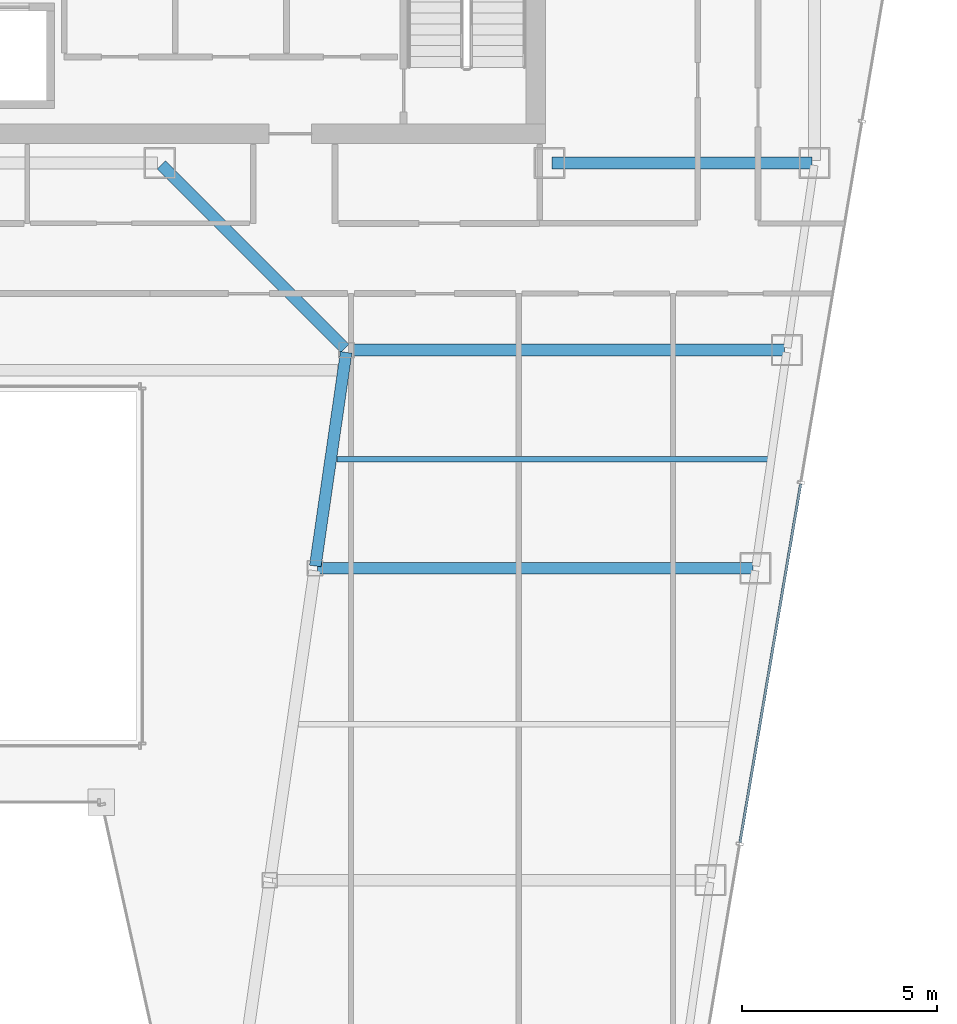
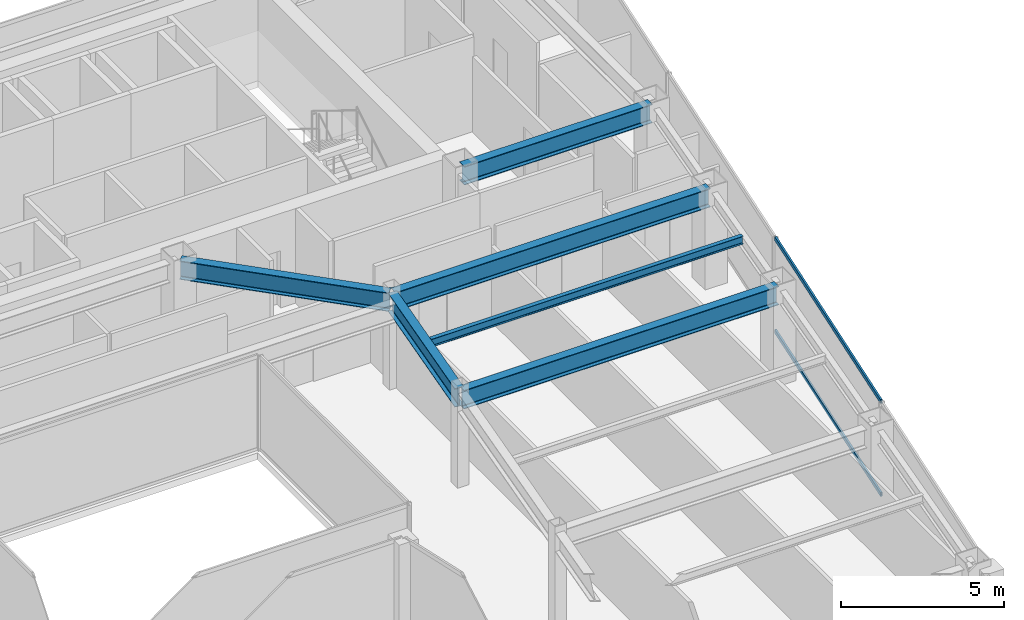
# One storey, part 21 of 36: 6 beams, 2 members, 1 element without a shape of its own.
"""IFC4 building model written with IfcOpenShell, lengths in metres."""

from ifc_helpers import new_model, si_unit, direction, frame, origin, origin_2d, place, context, subcontext, project, spatial, hollow_rectangle, i_section, extrude, material, material_profile, profile_set, type_object, element, aggregate, save


model = new_model("IFC4")

# Units and contexts
model_context = context("Model", 3, precision=1e-05, world=origin(), true_north=direction((0.0, 1.0)))
body_context = subcontext(model_context, "Body", "Model", "MODEL_VIEW")
ifc_project = project(units=[si_unit("LENGTHUNIT", "METRE"), si_unit("AREAUNIT", "SQUARE_METRE"), si_unit("VOLUMEUNIT", "CUBIC_METRE"), si_unit("PLANEANGLEUNIT", "RADIAN"), si_unit("MASSUNIT", "GRAM", prefix="KILO")], contexts=[model_context])

# Site, building, storey
site_placement = place(None, origin())
site = spatial("IfcSite", under=ifc_project, at=site_placement, CompositionType="ELEMENT")
building_placement = place(site_placement, origin())
building = spatial("IfcBuilding", under=site, at=building_placement, Name="Saevonmaru Cultural Tower", CompositionType="ELEMENT")
storey_placement = place(building_placement, frame((0.0, 0.0, 205.60009765625)))
storey = spatial("IfcBuildingStorey", under=building, at=storey_placement, Name="L47", CompositionType="ELEMENT", Elevation=205.60009765625)

# Beams
ifc_material_1 = material(Name="Steel SM355", Category="steel")
ifc_material_profile_1 = material_profile(ifc_material_1, i_section(OverallWidth=0.300048828125, OverallDepth=0.699951171875, WebThickness=0.012939453125, FlangeThickness=0.02392578125, FilletRadius=0.02587890625, at=origin_2d()), Name="H-700x300x13x24")
ifc_profile_set_1 = profile_set([ifc_material_profile_1], Name="Steel SM355")
beam_type_1 = type_object("IfcBeamType", Name="BM-G-H700", PredefinedType="BEAM", material=ifc_profile_set_1)
beam_1_placement = place(storey_placement, frame((46.4599609375, 42.39990234375, 3.199951171875), z_axis=(1.0, 0.0, 0.0), x_axis=(0.0, 1.0, 0.0)))
element("IfcBeam", 1, at=beam_1_placement, inside=storey, type_object=beam_type_1, Name="L47 Core South Girder 5", PredefinedType="BEAM", context=body_context, shape_type="SweptSolid", body=[
    extrude(i_section(OverallWidth=0.300048828125, OverallDepth=0.699951171875, WebThickness=0.012939453125, FlangeThickness=0.02392578125, FilletRadius=0.02587890625, at=origin_2d()), origin(), (0.0, 0.0, 1.0), 6.679931640625),
])
beam_2_placement = place(storey_placement, frame((40.3916015625, 32.059326171875, 3.199951171875), z_axis=(0.142964121327, 0.989727871697, 0.0), x_axis=(-0.989727871697, 0.142964121327, 0.0)))
element("IfcBeam", 2, at=beam_2_placement, inside=storey, type_object=beam_type_1, Name="L47 East Atrium Girder 3", PredefinedType="BEAM", context=body_context, shape_type="SweptSolid", body=[
    extrude(i_section(OverallWidth=0.300048828125, OverallDepth=0.699951171875, WebThickness=0.012939453125, FlangeThickness=0.02392578125, FilletRadius=0.02587890625, at=origin_2d()), origin(), (0.0, 0.0, 1.0), 5.5380859375),
])
beam_3_placement = place(storey_placement, frame((41.149658203125, 37.642578125, 3.199951171875), z_axis=(-0.706538566564, 0.707674539572, 0.0), x_axis=(-0.707674539572, -0.706538566564, 0.0)))
element("IfcBeam", 3, at=beam_3_placement, inside=storey, type_object=beam_type_1, Name="L47 East Atrium Girder 4", PredefinedType="BEAM", context=body_context, shape_type="SweptSolid", body=[
    extrude(i_section(OverallWidth=0.300048828125, OverallDepth=0.699951171875, WebThickness=0.012939453125, FlangeThickness=0.02392578125, FilletRadius=0.02587890625, at=origin_2d()), origin(), (0.0, 0.0, 1.0), 6.662353515625),
])
for number, where, z_axis, x_axis, name in (
    (4, (40.443115234375, 32.0, 3.199951171875), (1.0, 0.0, 0.0), (0.0, 1.0, 0.0), "L47 East Wing Transverse Girder 3"),
    (5, (41.251953125, 37.60009765625, 3.199951171875), (1.0, 0.0, 0.0), (0.0, 1.0, 0.0), "L47 East Wing Transverse Girder 4"),
):
    element("IfcBeam", number, at=place(storey_placement, frame(where, z_axis=z_axis, x_axis=x_axis)), inside=storey, type_object=beam_type_1, Name=name, PredefinedType="BEAM", context=body_context, shape_type="SweptSolid", body=[
        extrude(i_section(OverallWidth=0.300048828125, OverallDepth=0.699951171875, WebThickness=0.012939453125, FlangeThickness=0.02392578125, FilletRadius=0.02587890625, at=origin_2d()), origin(), (0.0, 0.0, 1.0), 11.179931640625),
    ])
ifc_material_profile_2 = material_profile(ifc_material_1, i_section(OverallWidth=0.14990234375, OverallDepth=0.300048828125, WebThickness=0.006591796875, FlangeThickness=0.009033203125, FilletRadius=0.012939453125, at=origin_2d()), Name="H-300x150x6.5x9")
ifc_profile_set_2 = profile_set([ifc_material_profile_2], Name="Steel SM355")
beam_type_2 = type_object("IfcBeamType", Name="BM-J-H300", PredefinedType="JOIST", material=ifc_profile_set_2)
beam_4_placement = place(storey_placement, frame((40.945556640625, 34.800048828125, 3.39990234375), z_axis=(1.0, 0.0, 0.0), x_axis=(0.0, 1.0, 0.0)))
element("IfcBeam", 6, at=beam_4_placement, inside=storey, type_object=beam_type_2, Name="L47 East Wing Floor Joist 3", PredefinedType="JOIST", context=body_context, shape_type="SweptSolid", body=[
    extrude(i_section(OverallWidth=0.14990234375, OverallDepth=0.300048828125, WebThickness=0.006591796875, FlangeThickness=0.009033203125, FilletRadius=0.012939453125, at=origin_2d()), origin(), (0.0, 0.0, 1.0), 11.08203125),
])

# Curtain wall, members
ifc_material_2 = material(Name="Satin Bronze Anodised Aluminium", Category="aluminium")
curtain_wall_type = type_object("IfcCurtainWallType", Name="CW-TYP-B", PredefinedType="NOTDEFINED", material=ifc_material_2)
curtain_wall_placement = place(storey_placement, origin())
curtain_wall = element("IfcCurtainWall", 7, at=curtain_wall_placement, inside=storey, type_object=curtain_wall_type, Name="L47 Unitised Curtain Wall E8", PredefinedType="NOTDEFINED")
ifc_material_profile_3 = material_profile(ifc_material_2, hollow_rectangle(XDim=0.06494140625, YDim=0.14990234375, WallThickness=0.00390625, at=origin_2d()), Name="ALU-TRAN-150x65x4")
ifc_profile_set_3 = profile_set([ifc_material_profile_3], Name="Satin Bronze Anodised Aluminium")
member_type = type_object("IfcMemberType", Name="TR-CW-150x65", PredefinedType="USERDEFINED", material=ifc_profile_set_3)
member_1_placement = place(storey_placement, frame((51.287109375, 24.961669921875, 0.032470703125), z_axis=(0.166921263871, 0.985970228591, 0.0), x_axis=(-0.985970228591, 0.166921263871, 0.0)))
member_1 = element("IfcMember", 8, at=member_1_placement, type_object=member_type, Name="CW-TW-L47-E8 transom 2.1", ObjectType="TRANSOM", PredefinedType="USERDEFINED", context=body_context, shape_type="SweptSolid", body=[
    extrude(hollow_rectangle(XDim=0.06494140625, YDim=0.14990234375, WallThickness=0.00390625, at=origin_2d()), origin(), (0.0, 0.0, 1.0), 9.33740234375),
])
member_2_placement = place(storey_placement, frame((51.287109375, 24.961669921875, 3.517333984375), z_axis=(0.166921263871, 0.985970228591, 0.0), x_axis=(-0.985970228591, 0.166921263871, 0.0)))
member_2 = element("IfcMember", 9, at=member_2_placement, type_object=member_type, Name="CW-TW-L47-E8 transom 2.2", ObjectType="TRANSOM", PredefinedType="USERDEFINED", context=body_context, shape_type="SweptSolid", body=[
    extrude(hollow_rectangle(XDim=0.06494140625, YDim=0.14990234375, WallThickness=0.00390625, at=origin_2d()), origin(), (0.0, 0.0, 1.0), 9.33740234375),
])
aggregate(curtain_wall, [member_1, member_2])

save(model, "model.ifc")
